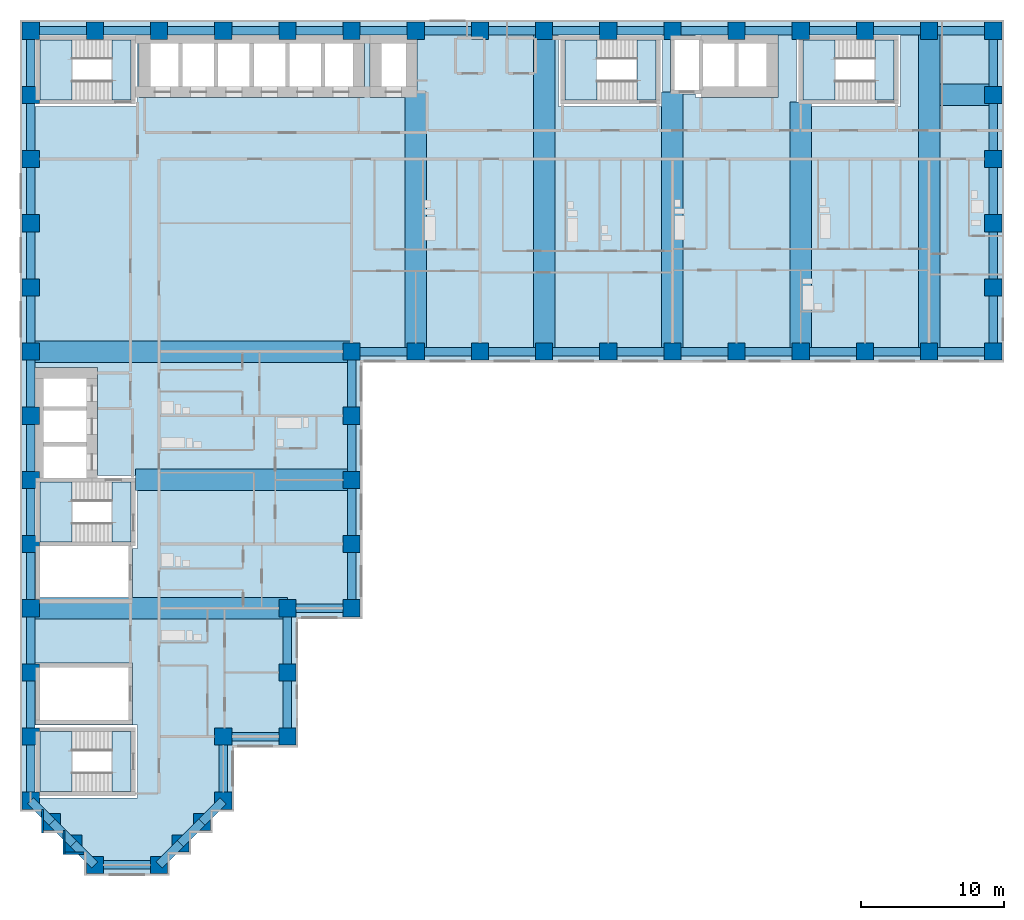
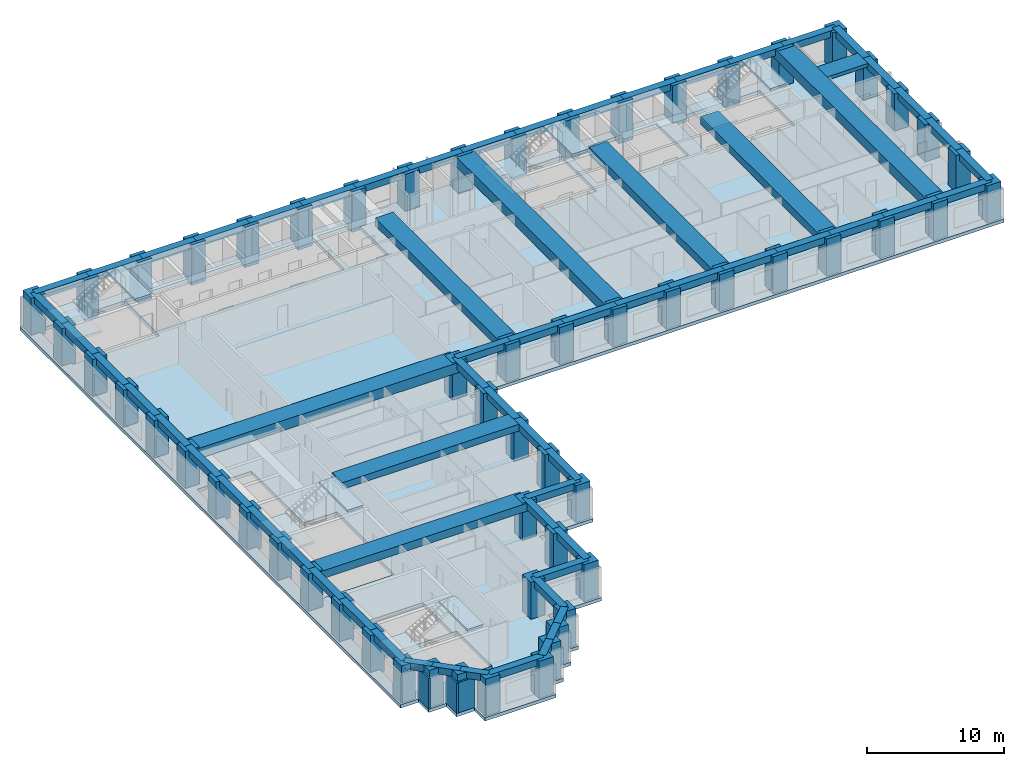
# One storey, part 1 of 11: 67 beams, 58 columns, 11 slabs, 3 walls, 5 elements without a shape of their own.
"""IFC4 building model written with IfcOpenShell, lengths in metres."""

from ifc_helpers import new_model, si_unit, direction, frame, frame_2d, origin, origin_2d, place, context, subcontext, project, spatial, polyline, rectangle, outline, extrude, material, layer, layer_set, material_profile, profile_set, type_object, element, aggregate, save


model = new_model("IFC4")

# Units and contexts
model_context = context("Model", 3, precision=1e-05, world=origin(), true_north=direction((0.0, 1.0)))
body_context = subcontext(model_context, "Body", "Model", "MODEL_VIEW")
ifc_project = project(units=[si_unit("LENGTHUNIT", "METRE"), si_unit("AREAUNIT", "SQUARE_METRE"), si_unit("VOLUMEUNIT", "CUBIC_METRE"), si_unit("PLANEANGLEUNIT", "RADIAN"), si_unit("MASSUNIT", "GRAM", prefix="KILO")], contexts=[model_context])

# Site, building, storey
site_placement = place(None, origin())
site = spatial("IfcSite", under=ifc_project, at=site_placement, CompositionType="ELEMENT")
building_placement = place(site_placement, origin())
building = spatial("IfcBuilding", under=site, at=building_placement, Name="Firuza Court", CompositionType="ELEMENT")
storey_placement = place(building_placement, frame((0.0, 0.0, 86.60009765625)))
storey = spatial("IfcBuildingStorey", under=building, at=storey_placement, Name="L21", CompositionType="ELEMENT", Elevation=86.60009765625)

# Columns
ifc_material_1 = material(Name="Concrete C70/85", Category="concrete")
ifc_material_profile_1 = material_profile(ifc_material_1, rectangle(XDim=1.199951171875, YDim=1.199951171875, at=origin_2d()), Name="RC 1200x1200")
ifc_profile_set_1 = profile_set([ifc_material_profile_1], Name="Concrete C70/85")
column_type = type_object("IfcColumnType", Name="Tube column RC 1200x1200 C70/85", PredefinedType="COLUMN", material=ifc_profile_set_1)
for number, where, z_axis, x_axis, name in (
    (1, (4.5, 0.0, -0.300048828125), (0.0, 0.0, 1.0), (1.0, 0.0, 0.0), "Column C-2D L21"),
    (2, (9.0, 0.0, -0.300048828125), (0.0, 0.0, 1.0), (1.0, 0.0, 0.0), "Column C-3D L21"),
    (3, (3.0, 1.5, -0.300048828125), (0.0, 0.0, 1.0), (1.0, 0.0, 0.0), "Column C-SA1 L21"),
    (4, (10.5, 1.5, -0.300048828125), (0.0, 0.0, 1.0), (1.0, 0.0, 0.0), "Column C-SA2 L21"),
    (5, (1.5, 3.0, -0.300048828125), (0.0, 0.0, 1.0), (1.0, 0.0, 0.0), "Column C-SA3 L21"),
    (6, (12.0, 3.0, -0.300048828125), (0.0, 0.0, 1.0), (1.0, 0.0, 0.0), "Column C-SA4 L21"),
    (7, (0.0, 4.5, -0.300048828125), (0.0, 0.0, 1.0), (1.0, 0.0, 0.0), "Column C-1E L21"),
    (8, (13.5, 4.5, -0.300048828125), (0.0, 0.0, 1.0), (1.0, 0.0, 0.0), "Column C-4E L21"),
    (9, (0.0, 9.0, -0.300048828125), (0.0, 0.0, 1.0), (1.0, 0.0, 0.0), "Column C-1F L21"),
    (10, (13.5, 9.0, -0.300048828125), (0.0, 0.0, 1.0), (1.0, 0.0, 0.0), "Column C-4F L21"),
    (11, (18.0, 9.0, -0.300048828125), (0.0, 0.0, 1.0), (1.0, 0.0, 0.0), "Column C-5F L21"),
    (12, (0.0, 13.5, -0.300048828125), (0.0, 0.0, 1.0), (1.0, 0.0, 0.0), "Column C-1G L21"),
    (13, (18.0, 13.5, -0.300048828125), (0.0, 0.0, 1.0), (1.0, 0.0, 0.0), "Column C-5G L21"),
    (14, (0.0, 18.0, -0.300048828125), (0.0, 0.0, 1.0), (1.0, 0.0, 0.0), "Column C-1H L21"),
    (15, (18.0, 18.0, -0.300048828125), (0.0, 0.0, 1.0), (1.0, 0.0, 0.0), "Column C-5H L21"),
    (16, (22.5, 18.0, -0.300048828125), (0.0, 0.0, 1.0), (1.0, 0.0, 0.0), "Column C-6H L21"),
    (17, (0.0, 22.5, -0.300048828125), (0.0, 0.0, 1.0), (1.0, 0.0, 0.0), "Column C-1J L21"),
    (18, (22.5, 22.5, -0.300048828125), (0.0, 0.0, 1.0), (1.0, 0.0, 0.0), "Column C-6J L21"),
    (19, (0.0, 27.0, -0.300048828125), (0.0, 0.0, 1.0), (1.0, 0.0, 0.0), "Column C-1K L21"),
    (20, (22.5, 27.0, -0.300048828125), (0.0, 0.0, 1.0), (1.0, 0.0, 0.0), "Column C-6K L21"),
    (21, (0.0, 31.5, -0.300048828125), (0.0, 0.0, 1.0), (1.0, 0.0, 0.0), "Column C-1L L21"),
    (22, (22.5, 31.5, -0.300048828125), (0.0, 0.0, 1.0), (1.0, 0.0, 0.0), "Column C-6L L21"),
    (23, (0.0, 36.0, -0.300048828125), (0.0, 0.0, 1.0), (1.0, 0.0, 0.0), "Column C-1M L21"),
    (24, (22.5, 36.0, -0.300048828125), (0.0, 0.0, 1.0), (1.0, 0.0, 0.0), "Column C-6M L21"),
    (25, (27.0, 36.0, -0.300048828125), (0.0, 0.0, 1.0), (1.0, 0.0, 0.0), "Column C-7M L21"),
    (26, (31.5, 36.0, -0.300048828125), (0.0, 0.0, 1.0), (1.0, 0.0, 0.0), "Column C-8M L21"),
    (27, (36.0, 36.0, -0.300048828125), (0.0, 0.0, 1.0), (1.0, 0.0, 0.0), "Column C-9M L21"),
    (28, (40.5, 36.0, -0.300048828125), (0.0, 0.0, 1.0), (1.0, 0.0, 0.0), "Column C-10M L21"),
    (29, (45.0, 36.0, -0.300048828125), (0.0, 0.0, 1.0), (1.0, 0.0, 0.0), "Column C-11M L21"),
    (30, (49.5, 36.0, -0.300048828125), (0.0, 0.0, 1.0), (1.0, 0.0, 0.0), "Column C-12M L21"),
    (31, (54.0, 36.0, -0.300048828125), (0.0, 0.0, 1.0), (1.0, 0.0, 0.0), "Column C-13M L21"),
    (32, (58.5, 36.0, -0.300048828125), (0.0, 0.0, 1.0), (1.0, 0.0, 0.0), "Column C-14M L21"),
    (33, (63.0, 36.0, -0.300048828125), (0.0, 0.0, 1.0), (1.0, 0.0, 0.0), "Column C-15M L21"),
    (34, (67.5, 36.0, -0.300048828125), (0.0, 0.0, 1.0), (1.0, 0.0, 0.0), "Column C-16M L21"),
    (35, (0.0, 40.5, -0.300048828125), (0.0, 0.0, 1.0), (1.0, 0.0, 0.0), "Column C-1N L21"),
    (36, (67.5, 40.5, -0.300048828125), (0.0, 0.0, 1.0), (1.0, 0.0, 0.0), "Column C-16N L21"),
    (37, (0.0, 45.0, -0.300048828125), (0.0, 0.0, 1.0), (1.0, 0.0, 0.0), "Column C-1P L21"),
    (38, (67.5, 45.0, -0.300048828125), (0.0, 0.0, 1.0), (1.0, 0.0, 0.0), "Column C-16P L21"),
    (39, (0.0, 49.5, -0.300048828125), (0.0, 0.0, 1.0), (1.0, 0.0, 0.0), "Column C-1Q L21"),
    (40, (67.5, 49.5, -0.300048828125), (0.0, 0.0, 1.0), (1.0, 0.0, 0.0), "Column C-16Q L21"),
    (41, (0.0, 54.0, -0.300048828125), (0.0, 0.0, 1.0), (1.0, 0.0, 0.0), "Column C-1R L21"),
    (42, (67.5, 54.0, -0.300048828125), (0.0, 0.0, 1.0), (1.0, 0.0, 0.0), "Column C-16R L21"),
    (43, (0.0, 58.5, -0.300048828125), (0.0, 0.0, 1.0), (1.0, 0.0, 0.0), "Column C-1S L21"),
    (44, (4.5, 58.5, -0.300048828125), (0.0, 0.0, 1.0), (1.0, 0.0, 0.0), "Column C-2S L21"),
    (45, (9.0, 58.5, -0.300048828125), (0.0, 0.0, 1.0), (1.0, 0.0, 0.0), "Column C-3S L21"),
    (46, (13.5, 58.5, -0.300048828125), (0.0, 0.0, 1.0), (1.0, 0.0, 0.0), "Column C-4S L21"),
    (47, (18.0, 58.5, -0.300048828125), (0.0, 0.0, 1.0), (1.0, 0.0, 0.0), "Column C-5S L21"),
    (48, (22.5, 58.5, -0.300048828125), (0.0, 0.0, 1.0), (1.0, 0.0, 0.0), "Column C-6S L21"),
    (49, (27.0, 58.5, -0.300048828125), (0.0, 0.0, 1.0), (1.0, 0.0, 0.0), "Column C-7S L21"),
    (50, (31.5, 58.5, -0.300048828125), (0.0, 0.0, 1.0), (1.0, 0.0, 0.0), "Column C-8S L21"),
    (51, (36.0, 58.5, -0.300048828125), (0.0, 0.0, 1.0), (1.0, 0.0, 0.0), "Column C-9S L21"),
    (52, (40.5, 58.5, -0.300048828125), (0.0, 0.0, 1.0), (1.0, 0.0, 0.0), "Column C-10S L21"),
    (53, (45.0, 58.5, -0.300048828125), (0.0, 0.0, 1.0), (1.0, 0.0, 0.0), "Column C-11S L21"),
    (54, (49.5, 58.5, -0.300048828125), (0.0, 0.0, 1.0), (1.0, 0.0, 0.0), "Column C-12S L21"),
    (55, (54.0, 58.5, -0.300048828125), (0.0, 0.0, 1.0), (1.0, 0.0, 0.0), "Column C-13S L21"),
    (56, (58.5, 58.5, -0.300048828125), (0.0, 0.0, 1.0), (1.0, 0.0, 0.0), "Column C-14S L21"),
    (57, (63.0, 58.5, -0.300048828125), (0.0, 0.0, 1.0), (1.0, 0.0, 0.0), "Column C-15S L21"),
    (58, (67.5, 58.5, -0.300048828125), (0.0, 0.0, 1.0), (1.0, 0.0, 0.0), "Column C-16S L21"),
):
    element("IfcColumn", number, at=place(storey_placement, frame(where, z_axis=z_axis, x_axis=x_axis)), inside=storey, type_object=column_type, Name=name, PredefinedType="COLUMN", context=body_context, shape_type="SweptSolid", body=[
        extrude(rectangle(XDim=1.199951171875, YDim=1.199951171875, at=origin_2d()), origin(), (0.0, 0.0, 1.0), 3.599853515625),
    ])

# Beams
ifc_material_2 = material(Name="Concrete C40/50", Category="concrete")
ifc_material_profile_2 = material_profile(ifc_material_2, rectangle(XDim=1.5, YDim=0.300048828125, at=origin_2d()), Name="RC 1500x300")
ifc_profile_set_2 = profile_set([ifc_material_profile_2], Name="Concrete C40/50")
beam_type_1 = type_object("IfcBeamType", Name="Band beam RC 1500x300 C40/50", PredefinedType="BEAM", material=ifc_profile_set_2)
beam_1_placement = place(storey_placement, frame((67.5, 54.0, 3.14990234375), z_axis=(-1.0, 0.0, 0.0), x_axis=(0.0, -1.0, 0.0)))
element("IfcBeam", 59, at=beam_1_placement, inside=storey, type_object=beam_type_1, Name="Band beam FB6 level L22", PredefinedType="BEAM", context=body_context, shape_type="SweptSolid", body=[
    extrude(rectangle(XDim=1.5, YDim=0.300048828125, at=origin_2d()), origin(), (0.0, 0.0, 1.0), 3.75),
])
ifc_material_3 = material(Name="Concrete C40/50", Category="concrete")
ifc_material_profile_3 = material_profile(ifc_material_3, rectangle(XDim=1.5, YDim=0.60009765625, at=origin_2d()), Name="RC 1500x600")
ifc_profile_set_3 = profile_set([ifc_material_profile_3], Name="Concrete C40/50")
beam_type_2 = type_object("IfcBeamType", Name="Band beam RC 1500x600 C40/50", PredefinedType="BEAM", material=ifc_profile_set_3)
beam_2_placement = place(storey_placement, frame((22.5, 27.0, 3.0), z_axis=(-1.0, 0.0, 0.0), x_axis=(0.0, -1.0, 0.0)))
element("IfcBeam", 60, at=beam_2_placement, inside=storey, type_object=beam_type_2, Name="Band beam FB3 level L22", PredefinedType="BEAM", context=body_context, shape_type="SweptSolid", body=[
    extrude(rectangle(XDim=1.5, YDim=0.60009765625, at=origin_2d()), origin(), (0.0, 0.0, 1.0), 15.14990234375),
])
ifc_material_4 = material(Name="Concrete C40/50", Category="concrete")
ifc_material_profile_4 = material_profile(ifc_material_4, rectangle(XDim=1.5, YDim=0.699951171875, at=origin_2d()), Name="RC 1500x700")
ifc_profile_set_4 = profile_set([ifc_material_profile_4], Name="Concrete C40/50")
beam_type_3 = type_object("IfcBeamType", Name="Band beam RC 1500x700 C40/50", PredefinedType="BEAM", material=ifc_profile_set_4)
beam_3_placement = place(storey_placement, frame((0.0, 18.0, 2.949951171875), z_axis=(1.0, 0.0, 0.0), x_axis=(0.0, 1.0, 0.0)))
element("IfcBeam", 61, at=beam_3_placement, inside=storey, type_object=beam_type_3, Name="Band beam FB1 level L22", PredefinedType="BEAM", context=body_context, shape_type="SweptSolid", body=[
    extrude(rectangle(XDim=1.5, YDim=0.699951171875, at=origin_2d()), origin(), (0.0, 0.0, 1.0), 18.0),
])
for number, where, z_axis, x_axis, name in (
    (62, (27.0, 36.0, 2.949951171875), (0.0, 1.0, 0.0), (-1.0, 0.0, 0.0), "Band beam FB1 level L22"),
    (63, (45.0, 36.0, 2.949951171875), (0.0, 1.0, 0.0), (-1.0, 0.0, 0.0), "Band beam FB1 level L22"),
):
    element("IfcBeam", number, at=place(storey_placement, frame(where, z_axis=z_axis, x_axis=x_axis)), inside=storey, type_object=beam_type_3, Name=name, PredefinedType="BEAM", context=body_context, shape_type="SweptSolid", body=[
        extrude(rectangle(XDim=1.5, YDim=0.699951171875, at=origin_2d()), origin(), (0.0, 0.0, 1.0), 18.199951171875),
    ])
beam_4_placement = place(storey_placement, frame((54.0, 36.0, 2.949951171875), z_axis=(0.0, 1.0, 0.0), x_axis=(-1.0, 0.0, 0.0)))
element("IfcBeam", 64, at=beam_4_placement, inside=storey, type_object=beam_type_3, Name="Band beam FB1 level L22", PredefinedType="BEAM", context=body_context, shape_type="SweptSolid", body=[
    extrude(rectangle(XDim=1.5, YDim=0.699951171875, at=origin_2d()), origin(), (0.0, 0.0, 1.0), 17.5),
])
ifc_material_5 = material(Name="Concrete C40/50", Category="concrete")
ifc_material_profile_5 = material_profile(ifc_material_5, rectangle(XDim=1.5, YDim=0.89990234375, at=origin_2d()), Name="RC 1500x900")
ifc_profile_set_5 = profile_set([ifc_material_profile_5], Name="Concrete C40/50")
beam_type_4 = type_object("IfcBeamType", Name="Band beam RC 1500x900 C40/50", PredefinedType="BEAM", material=ifc_profile_set_5)
for number, where, z_axis, x_axis, name in (
    (65, (0.0, 36.0, 2.849853515625), (1.0, 0.0, 0.0), (0.0, 1.0, 0.0), "Band beam FB2 level L22"),
    (66, (36.0, 36.0, 2.849853515625), (0.0, 1.0, 0.0), (-1.0, 0.0, 0.0), "Band beam FB2 level L22"),
    (67, (63.0, 36.0, 2.849853515625), (0.0, 1.0, 0.0), (-1.0, 0.0, 0.0), "Band beam FB2 level L22"),
):
    element("IfcBeam", number, at=place(storey_placement, frame(where, z_axis=z_axis, x_axis=x_axis)), inside=storey, type_object=beam_type_4, Name=name, PredefinedType="BEAM", context=body_context, shape_type="SweptSolid", body=[
        extrude(rectangle(XDim=1.5, YDim=0.89990234375, at=origin_2d()), origin(), (0.0, 0.0, 1.0), 22.5),
    ])
ifc_material_6 = material(Name="Concrete C40/50", Category="concrete")
ifc_material_profile_6 = material_profile(ifc_material_6, rectangle(XDim=0.60009765625, YDim=0.60009765625, at=origin_2d()), Name="RC 600x600")
ifc_profile_set_6 = profile_set([ifc_material_profile_6], Name="Concrete C40/50")
beam_type_5 = type_object("IfcBeamType", Name="Spandrel beam RC 600x600 C40/50", PredefinedType="BEAM", material=ifc_profile_set_6)
beam_5_placement = place(storey_placement, frame((0.0, 4.5, 3.0), z_axis=(0.707106781187, -0.707106781187, 0.0), x_axis=(0.707106781187, 0.707106781187, 0.0)))
element("IfcBeam", 68, at=beam_5_placement, inside=storey, type_object=beam_type_5, Name="Spandrel beam SP11 level L22", PredefinedType="BEAM", context=body_context, shape_type="SweptSolid", body=[
    extrude(rectangle(XDim=0.60009765625, YDim=0.60009765625, at=origin_2d()), origin(), (0.0, 0.0, 1.0), 2.121337890625),
])
for number, where, z_axis, x_axis, name in (
    (69, (0.0, 9.0, 3.0), (0.0, -1.0, 0.0), (1.0, 0.0, 0.0), "Spandrel beam SP11 level L22"),
    (70, (0.0, 13.5, 3.0), (0.0, -1.0, 0.0), (1.0, 0.0, 0.0), "Spandrel beam SP11 level L22"),
    (71, (0.0, 18.0, 3.0), (0.0, -1.0, 0.0), (1.0, 0.0, 0.0), "Spandrel beam SP11 level L22"),
    (72, (0.0, 22.5, 3.0), (0.0, -1.0, 0.0), (1.0, 0.0, 0.0), "Spandrel beam SP11 level L22"),
    (73, (0.0, 27.0, 3.0), (0.0, -1.0, 0.0), (1.0, 0.0, 0.0), "Spandrel beam SP11 level L22"),
    (74, (0.0, 31.5, 3.0), (0.0, -1.0, 0.0), (1.0, 0.0, 0.0), "Spandrel beam SP11 level L22"),
    (75, (0.0, 36.0, 3.0), (0.0, -1.0, 0.0), (1.0, 0.0, 0.0), "Spandrel beam SP11 level L22"),
    (76, (0.0, 40.5, 3.0), (0.0, -1.0, 0.0), (1.0, 0.0, 0.0), "Spandrel beam SP11 level L22"),
    (77, (0.0, 45.0, 3.0), (0.0, -1.0, 0.0), (1.0, 0.0, 0.0), "Spandrel beam SP11 level L22"),
    (78, (0.0, 49.5, 3.0), (0.0, -1.0, 0.0), (1.0, 0.0, 0.0), "Spandrel beam SP11 level L22"),
    (79, (0.0, 54.0, 3.0), (0.0, -1.0, 0.0), (1.0, 0.0, 0.0), "Spandrel beam SP11 level L22"),
    (80, (0.0, 58.5, 3.0), (0.0, -1.0, 0.0), (1.0, 0.0, 0.0), "Spandrel beam SP11 level L22"),
):
    element("IfcBeam", number, at=place(storey_placement, frame(where, z_axis=z_axis, x_axis=x_axis)), inside=storey, type_object=beam_type_5, Name=name, PredefinedType="BEAM", context=body_context, shape_type="SweptSolid", body=[
        extrude(rectangle(XDim=0.60009765625, YDim=0.60009765625, at=origin_2d()), origin(), (0.0, 0.0, 1.0), 4.5),
    ])
for number, where, z_axis, x_axis, name in (
    (81, (1.5, 3.0, 3.0), (0.707106781187, -0.707106781187, 0.0), (0.707106781187, 0.707106781187, 0.0), "Spandrel beam SP11 level L22"),
    (82, (3.0, 1.5, 3.0), (0.707106781187, -0.707106781187, 0.0), (0.707106781187, 0.707106781187, 0.0), "Spandrel beam SP11 level L22"),
):
    element("IfcBeam", number, at=place(storey_placement, frame(where, z_axis=z_axis, x_axis=x_axis)), inside=storey, type_object=beam_type_5, Name=name, PredefinedType="BEAM", context=body_context, shape_type="SweptSolid", body=[
        extrude(rectangle(XDim=0.60009765625, YDim=0.60009765625, at=origin_2d()), origin(), (0.0, 0.0, 1.0), 2.121337890625),
    ])
for number, where, z_axis, x_axis, name in (
    (83, (4.5, 0.0, 3.0), (1.0, 0.0, 0.0), (0.0, 1.0, 0.0), "Spandrel beam SP11 level L22"),
    (84, (4.5, 58.5, 3.0), (-1.0, 0.0, 0.0), (0.0, -1.0, 0.0), "Spandrel beam SP11 level L22"),
):
    element("IfcBeam", number, at=place(storey_placement, frame(where, z_axis=z_axis, x_axis=x_axis)), inside=storey, type_object=beam_type_5, Name=name, PredefinedType="BEAM", context=body_context, shape_type="SweptSolid", body=[
        extrude(rectangle(XDim=0.60009765625, YDim=0.60009765625, at=origin_2d()), origin(), (0.0, 0.0, 1.0), 4.5),
    ])
beam_6_placement = place(storey_placement, frame((9.0, 0.0, 3.0), z_axis=(0.707106781187, 0.707106781187, 0.0), x_axis=(-0.707106781187, 0.707106781187, 0.0)))
element("IfcBeam", 85, at=beam_6_placement, inside=storey, type_object=beam_type_5, Name="Spandrel beam SP11 level L22", PredefinedType="BEAM", context=body_context, shape_type="SweptSolid", body=[
    extrude(rectangle(XDim=0.60009765625, YDim=0.60009765625, at=origin_2d()), origin(), (0.0, 0.0, 1.0), 2.121337890625),
])
beam_7_placement = place(storey_placement, frame((9.0, 58.5, 3.0), z_axis=(-1.0, 0.0, 0.0), x_axis=(0.0, -1.0, 0.0)))
element("IfcBeam", 86, at=beam_7_placement, inside=storey, type_object=beam_type_5, Name="Spandrel beam SP11 level L22", PredefinedType="BEAM", context=body_context, shape_type="SweptSolid", body=[
    extrude(rectangle(XDim=0.60009765625, YDim=0.60009765625, at=origin_2d()), origin(), (0.0, 0.0, 1.0), 4.5),
])
for number, where, z_axis, x_axis, name in (
    (87, (10.5, 1.5, 3.0), (0.707106781187, 0.707106781187, 0.0), (-0.707106781187, 0.707106781187, 0.0), "Spandrel beam SP11 level L22"),
    (88, (12.0, 3.0, 3.0), (0.707106781187, 0.707106781187, 0.0), (-0.707106781187, 0.707106781187, 0.0), "Spandrel beam SP11 level L22"),
):
    element("IfcBeam", number, at=place(storey_placement, frame(where, z_axis=z_axis, x_axis=x_axis)), inside=storey, type_object=beam_type_5, Name=name, PredefinedType="BEAM", context=body_context, shape_type="SweptSolid", body=[
        extrude(rectangle(XDim=0.60009765625, YDim=0.60009765625, at=origin_2d()), origin(), (0.0, 0.0, 1.0), 2.121337890625),
    ])
for number, where, z_axis, x_axis, name in (
    (89, (13.5, 4.5, 3.0), (0.0, 1.0, 0.0), (-1.0, 0.0, 0.0), "Spandrel beam SP11 level L22"),
    (90, (13.5, 9.0, 3.0), (1.0, 0.0, 0.0), (0.0, 1.0, 0.0), "Spandrel beam SP11 level L22"),
    (91, (13.5, 58.5, 3.0), (-1.0, 0.0, 0.0), (0.0, -1.0, 0.0), "Spandrel beam SP11 level L22"),
    (92, (18.0, 9.0, 3.0), (0.0, 1.0, 0.0), (-1.0, 0.0, 0.0), "Spandrel beam SP11 level L22"),
    (93, (18.0, 13.5, 3.0), (0.0, 1.0, 0.0), (-1.0, 0.0, 0.0), "Spandrel beam SP11 level L22"),
    (94, (18.0, 18.0, 3.0), (1.0, 0.0, 0.0), (0.0, 1.0, 0.0), "Spandrel beam SP11 level L22"),
    (95, (18.0, 58.5, 3.0), (-1.0, 0.0, 0.0), (0.0, -1.0, 0.0), "Spandrel beam SP11 level L22"),
    (96, (22.5, 18.0, 3.0), (0.0, 1.0, 0.0), (-1.0, 0.0, 0.0), "Spandrel beam SP11 level L22"),
    (97, (22.5, 22.5, 3.0), (0.0, 1.0, 0.0), (-1.0, 0.0, 0.0), "Spandrel beam SP11 level L22"),
    (98, (22.5, 27.0, 3.0), (0.0, 1.0, 0.0), (-1.0, 0.0, 0.0), "Spandrel beam SP11 level L22"),
    (99, (22.5, 31.5, 3.0), (0.0, 1.0, 0.0), (-1.0, 0.0, 0.0), "Spandrel beam SP11 level L22"),
    (100, (22.5, 36.0, 3.0), (1.0, 0.0, 0.0), (0.0, 1.0, 0.0), "Spandrel beam SP11 level L22"),
    (101, (22.5, 58.5, 3.0), (-1.0, 0.0, 0.0), (0.0, -1.0, 0.0), "Spandrel beam SP11 level L22"),
    (102, (27.0, 36.0, 3.0), (1.0, 0.0, 0.0), (0.0, 1.0, 0.0), "Spandrel beam SP11 level L22"),
    (103, (27.0, 58.5, 3.0), (-1.0, 0.0, 0.0), (0.0, -1.0, 0.0), "Spandrel beam SP11 level L22"),
    (104, (31.5, 36.0, 3.0), (1.0, 0.0, 0.0), (0.0, 1.0, 0.0), "Spandrel beam SP11 level L22"),
    (105, (31.5, 58.5, 3.0), (-1.0, 0.0, 0.0), (0.0, -1.0, 0.0), "Spandrel beam SP11 level L22"),
    (106, (36.0, 36.0, 3.0), (1.0, 0.0, 0.0), (0.0, 1.0, 0.0), "Spandrel beam SP11 level L22"),
    (107, (36.0, 58.5, 3.0), (-1.0, 0.0, 0.0), (0.0, -1.0, 0.0), "Spandrel beam SP11 level L22"),
    (108, (40.5, 36.0, 3.0), (1.0, 0.0, 0.0), (0.0, 1.0, 0.0), "Spandrel beam SP11 level L22"),
    (109, (40.5, 58.5, 3.0), (-1.0, 0.0, 0.0), (0.0, -1.0, 0.0), "Spandrel beam SP11 level L22"),
    (110, (45.0, 36.0, 3.0), (1.0, 0.0, 0.0), (0.0, 1.0, 0.0), "Spandrel beam SP11 level L22"),
    (111, (45.0, 58.5, 3.0), (-1.0, 0.0, 0.0), (0.0, -1.0, 0.0), "Spandrel beam SP11 level L22"),
    (112, (49.5, 36.0, 3.0), (1.0, 0.0, 0.0), (0.0, 1.0, 0.0), "Spandrel beam SP11 level L22"),
    (113, (49.5, 58.5, 3.0), (-1.0, 0.0, 0.0), (0.0, -1.0, 0.0), "Spandrel beam SP11 level L22"),
    (114, (54.0, 36.0, 3.0), (1.0, 0.0, 0.0), (0.0, 1.0, 0.0), "Spandrel beam SP11 level L22"),
    (115, (54.0, 58.5, 3.0), (-1.0, 0.0, 0.0), (0.0, -1.0, 0.0), "Spandrel beam SP11 level L22"),
    (116, (58.5, 36.0, 3.0), (1.0, 0.0, 0.0), (0.0, 1.0, 0.0), "Spandrel beam SP11 level L22"),
    (117, (58.5, 58.5, 3.0), (-1.0, 0.0, 0.0), (0.0, -1.0, 0.0), "Spandrel beam SP11 level L22"),
    (118, (63.0, 36.0, 3.0), (1.0, 0.0, 0.0), (0.0, 1.0, 0.0), "Spandrel beam SP11 level L22"),
    (119, (63.0, 58.5, 3.0), (-1.0, 0.0, 0.0), (0.0, -1.0, 0.0), "Spandrel beam SP11 level L22"),
    (120, (67.5, 36.0, 3.0), (0.0, 1.0, 0.0), (-1.0, 0.0, 0.0), "Spandrel beam SP11 level L22"),
    (121, (67.5, 40.5, 3.0), (0.0, 1.0, 0.0), (-1.0, 0.0, 0.0), "Spandrel beam SP11 level L22"),
    (122, (67.5, 45.0, 3.0), (0.0, 1.0, 0.0), (-1.0, 0.0, 0.0), "Spandrel beam SP11 level L22"),
    (123, (67.5, 49.5, 3.0), (0.0, 1.0, 0.0), (-1.0, 0.0, 0.0), "Spandrel beam SP11 level L22"),
    (124, (67.5, 54.0, 3.0), (0.0, 1.0, 0.0), (-1.0, 0.0, 0.0), "Spandrel beam SP11 level L22"),
    (125, (67.5, 58.5, 3.0), (-1.0, 0.0, 0.0), (0.0, -1.0, 0.0), "Spandrel beam SP11 level L22"),
):
    element("IfcBeam", number, at=place(storey_placement, frame(where, z_axis=z_axis, x_axis=x_axis)), inside=storey, type_object=beam_type_5, Name=name, PredefinedType="BEAM", context=body_context, shape_type="SweptSolid", body=[
        extrude(rectangle(XDim=0.60009765625, YDim=0.60009765625, at=origin_2d()), origin(), (0.0, 0.0, 1.0), 4.5),
    ])

# Slab
ifc_material_7 = material(Name="Concrete C40/50", Category="concrete")
ifc_layer_1 = layer(ifc_material_7, 0.300048828125)
ifc_layer_set_1 = layer_set([ifc_layer_1], Name="Concrete C40/50")
slab_type_1 = type_object("IfcSlabType", Name="Floor slab 300 C40/50", PredefinedType="FLOOR", material=ifc_layer_set_1)
slab_1_placement = place(storey_placement, frame((0.0, 0.0, -0.300048828125)))
element("IfcSlab", 126, at=slab_1_placement, inside=storey, type_object=slab_type_1, Name="Floor slab L21", PredefinedType="FLOOR", context=body_context, shape_type="SweptSolid", body=[
    extrude(outline(polyline([(3.75, -0.75), (3.75, 0.75), (2.25, 0.75), (2.25, 2.25), (0.75, 2.25), (0.75, 3.75), (-0.75, 3.75), (-0.75, 59.25), (68.25, 59.25), (68.25, 35.25), (23.25, 35.25), (23.25, 17.25), (18.75, 17.25), (18.75, 8.25), (14.25, 8.25), (14.25, 3.75), (12.75, 3.75), (12.75, 2.25), (11.25, 2.25), (11.25, 0.75), (9.75, 0.75), (9.75, -0.75), (3.75, -0.75)]), holes=[polyline([(7.5, 9.800048828125), (0.199951171875, 9.800048828125), (0.199951171875, 4.699951171875), (7.5, 4.699951171875), (7.5, 9.800048828125)]), polyline([(7.14990234375, 14.14990234375), (0.35009765625, 14.14990234375), (0.35009765625, 9.85009765625), (7.14990234375, 9.85009765625), (7.14990234375, 14.14990234375)]), polyline([(0.199951171875, 22.199951171875), (0.35009765625, 22.199951171875), (0.35009765625, 18.35009765625), (7.14990234375, 18.35009765625), (7.14990234375, 22.199951171875), (7.5, 22.199951171875), (7.5, 27.300048828125), (4.699951171875, 27.300048828125), (4.699951171875, 29.10009765625), (4.699951171875, 29.89990234375), (4.699951171875, 31.60009765625), (4.699951171875, 32.39990234375), (4.699951171875, 34.89990234375), (0.10009765625, 34.89990234375), (0.10009765625, 32.39990234375), (0.10009765625, 31.60009765625), (0.10009765625, 29.89990234375), (0.10009765625, 29.10009765625), (0.10009765625, 26.60009765625), (0.199951171875, 26.60009765625), (0.199951171875, 22.199951171875)]), polyline([(7.5, 58.300048828125), (0.199951171875, 58.300048828125), (0.199951171875, 53.199951171875), (7.5, 53.199951171875), (7.5, 58.300048828125)]), polyline([(10.10009765625, 58.39990234375), (7.60009765625, 58.39990234375), (7.60009765625, 53.800048828125), (10.10009765625, 53.800048828125), (10.89990234375, 53.800048828125), (12.60009765625, 53.800048828125), (13.39990234375, 53.800048828125), (15.10009765625, 53.800048828125), (15.89990234375, 53.800048828125), (17.60009765625, 53.800048828125), (18.39990234375, 53.800048828125), (20.10009765625, 53.800048828125), (20.89990234375, 53.800048828125), (23.39990234375, 53.800048828125), (23.39990234375, 58.39990234375), (20.89990234375, 58.39990234375), (20.10009765625, 58.39990234375), (18.39990234375, 58.39990234375), (17.60009765625, 58.39990234375), (15.89990234375, 58.39990234375), (15.10009765625, 58.39990234375), (13.39990234375, 58.39990234375), (12.60009765625, 58.39990234375), (10.89990234375, 58.39990234375), (10.10009765625, 58.39990234375)]), polyline([(44.300048828125, 58.300048828125), (37.0, 58.300048828125), (37.0, 53.199951171875), (44.300048828125, 53.199951171875), (44.300048828125, 58.300048828125)]), polyline([(61.0, 58.300048828125), (53.699951171875, 58.300048828125), (53.699951171875, 53.199951171875), (61.0, 53.199951171875), (61.0, 58.300048828125)]), polyline([(27.10009765625, 58.39990234375), (23.800048828125, 58.39990234375), (23.800048828125, 53.800048828125), (27.10009765625, 53.800048828125), (27.10009765625, 58.39990234375)]), polyline([(46.60009765625, 58.14990234375), (44.85009765625, 58.14990234375), (44.85009765625, 54.050048828125), (46.60009765625, 54.050048828125), (46.60009765625, 53.800048828125), (49.10009765625, 53.800048828125), (49.89990234375, 53.800048828125), (52.39990234375, 53.800048828125), (52.39990234375, 58.39990234375), (49.89990234375, 58.39990234375), (49.10009765625, 58.39990234375), (46.60009765625, 58.39990234375), (46.60009765625, 58.14990234375)])]), origin(), (0.0, 0.0, 1.0), 0.300048828125),
])

# Stair, slabs
ifc_material_8 = material(Name="Concrete C40/50 precast", Category="concrete")
stair_type = type_object("IfcStairType", Name="Stair 1350 x 3600 2 flights", PredefinedType="HALF_TURN_STAIR", material=ifc_material_8)
stair_1_placement = place(storey_placement, origin())
stair_1 = element("IfcStair", 127, at=stair_1_placement, inside=storey, type_object=stair_type, Name="Stair 1 L21", PredefinedType="HALF_TURN_STAIR")
ifc_material_9 = material(Name="Concrete C40/50 precast", Category="concrete")
ifc_layer_2 = layer(ifc_material_9, 0.199951171875)
ifc_layer_set_2 = layer_set([ifc_layer_2], Name="Concrete C40/50 precast")
slab_type_2 = type_object("IfcSlabType", Name="Stair landing 200", PredefinedType="LANDING", material=ifc_layer_set_2)
slab_2_placement = place(storey_placement, frame((0.0, 0.0, 1.599853515625)))
slab_2 = element("IfcSlab", 128, at=slab_2_placement, type_object=slab_type_2, Name="S1 landing 1", PredefinedType="LANDING", context=body_context, shape_type="SweptSolid", body=[
    extrude(outline(polyline([(39.699951171875, 53.64990234375), (39.699951171875, 57.85009765625), (37.449951171875, 57.85009765625), (37.449951171875, 53.64990234375), (39.699951171875, 53.64990234375)])), origin(), (0.0, 0.0, 1.0), 0.199951171875),
])
slab_3_placement = place(storey_placement, frame((0.0, 0.0, 3.39990234375)))
slab_3 = element("IfcSlab", 129, at=slab_3_placement, type_object=slab_type_2, Name="S1 landing 2", PredefinedType="LANDING", context=body_context, shape_type="SweptSolid", body=[
    extrude(outline(polyline([(43.85009765625, 53.64990234375), (43.85009765625, 57.85009765625), (42.5, 57.85009765625), (42.5, 53.64990234375), (43.85009765625, 53.64990234375)])), origin(), (0.0, 0.0, 1.0), 0.199951171875),
])
aggregate(stair_1, [slab_2, slab_3])

stair_2_placement = place(storey_placement, origin())
stair_2 = element("IfcStair", 130, at=stair_2_placement, inside=storey, type_object=stair_type, Name="Stair 2 L21", PredefinedType="HALF_TURN_STAIR")
slab_4_placement = place(storey_placement, frame((0.0, 0.0, 1.599853515625)))
slab_4 = element("IfcSlab", 131, at=slab_4_placement, type_object=slab_type_2, Name="S2 landing 1", PredefinedType="LANDING", context=body_context, shape_type="SweptSolid", body=[
    extrude(outline(polyline([(2.89990234375, 22.64990234375), (2.89990234375, 26.85009765625), (0.64990234375, 26.85009765625), (0.64990234375, 22.64990234375), (2.89990234375, 22.64990234375)])), origin(), (0.0, 0.0, 1.0), 0.199951171875),
])
slab_5_placement = place(storey_placement, frame((0.0, 0.0, 3.39990234375)))
slab_5 = element("IfcSlab", 132, at=slab_5_placement, type_object=slab_type_2, Name="S2 landing 2", PredefinedType="LANDING", context=body_context, shape_type="SweptSolid", body=[
    extrude(outline(polyline([(7.050048828125, 22.64990234375), (7.050048828125, 26.85009765625), (5.699951171875, 26.85009765625), (5.699951171875, 22.64990234375), (7.050048828125, 22.64990234375)])), origin(), (0.0, 0.0, 1.0), 0.199951171875),
])
aggregate(stair_2, [slab_4, slab_5])

stair_3_placement = place(storey_placement, origin())
stair_3 = element("IfcStair", 133, at=stair_3_placement, inside=storey, type_object=stair_type, Name="Stair 3 L21", PredefinedType="HALF_TURN_STAIR")
slab_6_placement = place(storey_placement, frame((0.0, 0.0, 1.599853515625)))
slab_6 = element("IfcSlab", 134, at=slab_6_placement, type_object=slab_type_2, Name="S3 landing 1", PredefinedType="LANDING", context=body_context, shape_type="SweptSolid", body=[
    extrude(outline(polyline([(2.89990234375, 53.64990234375), (2.89990234375, 57.85009765625), (0.64990234375, 57.85009765625), (0.64990234375, 53.64990234375), (2.89990234375, 53.64990234375)])), origin(), (0.0, 0.0, 1.0), 0.199951171875),
])
slab_7_placement = place(storey_placement, frame((0.0, 0.0, 3.39990234375)))
slab_7 = element("IfcSlab", 135, at=slab_7_placement, type_object=slab_type_2, Name="S3 landing 2", PredefinedType="LANDING", context=body_context, shape_type="SweptSolid", body=[
    extrude(outline(polyline([(7.050048828125, 53.64990234375), (7.050048828125, 57.85009765625), (5.699951171875, 57.85009765625), (5.699951171875, 53.64990234375), (7.050048828125, 53.64990234375)])), origin(), (0.0, 0.0, 1.0), 0.199951171875),
])
aggregate(stair_3, [slab_6, slab_7])

stair_4_placement = place(storey_placement, origin())
stair_4 = element("IfcStair", 136, at=stair_4_placement, inside=storey, type_object=stair_type, Name="Stair 4 L21", PredefinedType="HALF_TURN_STAIR")
slab_8_placement = place(storey_placement, frame((0.0, 0.0, 1.599853515625)))
slab_8 = element("IfcSlab", 137, at=slab_8_placement, type_object=slab_type_2, Name="S4 landing 1", PredefinedType="LANDING", context=body_context, shape_type="SweptSolid", body=[
    extrude(outline(polyline([(56.39990234375, 53.64990234375), (56.39990234375, 57.85009765625), (54.14990234375, 57.85009765625), (54.14990234375, 53.64990234375), (56.39990234375, 53.64990234375)])), origin(), (0.0, 0.0, 1.0), 0.199951171875),
])
slab_9_placement = place(storey_placement, frame((0.0, 0.0, 3.39990234375)))
slab_9 = element("IfcSlab", 138, at=slab_9_placement, type_object=slab_type_2, Name="S4 landing 2", PredefinedType="LANDING", context=body_context, shape_type="SweptSolid", body=[
    extrude(outline(polyline([(60.550048828125, 53.64990234375), (60.550048828125, 57.85009765625), (59.199951171875, 57.85009765625), (59.199951171875, 53.64990234375), (60.550048828125, 53.64990234375)])), origin(), (0.0, 0.0, 1.0), 0.199951171875),
])
aggregate(stair_4, [slab_8, slab_9])

stair_5_placement = place(storey_placement, origin())
stair_5 = element("IfcStair", 139, at=stair_5_placement, inside=storey, type_object=stair_type, Name="Stair 5 L21", PredefinedType="HALF_TURN_STAIR")
slab_10_placement = place(storey_placement, frame((0.0, 0.0, 1.599853515625)))
slab_10 = element("IfcSlab", 140, at=slab_10_placement, type_object=slab_type_2, Name="S5 landing 1", PredefinedType="LANDING", context=body_context, shape_type="SweptSolid", body=[
    extrude(outline(polyline([(2.89990234375, 5.14990234375), (2.89990234375, 9.35009765625), (0.64990234375, 9.35009765625), (0.64990234375, 5.14990234375), (2.89990234375, 5.14990234375)])), origin(), (0.0, 0.0, 1.0), 0.199951171875),
])
slab_11_placement = place(storey_placement, frame((0.0, 0.0, 3.39990234375)))
slab_11 = element("IfcSlab", 141, at=slab_11_placement, type_object=slab_type_2, Name="S5 landing 2", PredefinedType="LANDING", context=body_context, shape_type="SweptSolid", body=[
    extrude(outline(polyline([(7.050048828125, 5.14990234375), (7.050048828125, 9.35009765625), (5.699951171875, 9.35009765625), (5.699951171875, 5.14990234375), (7.050048828125, 5.14990234375)])), origin(), (0.0, 0.0, 1.0), 0.199951171875),
])
aggregate(stair_5, [slab_10, slab_11])

# Walls
ifc_material_10 = material(Name="Ceramic tile", Category="ceramic")
ifc_layer_3 = layer(ifc_material_10, 0.02001953125)
ifc_material_11 = material(Name="Mineral wool insulation", Category="insulation")
ifc_layer_4 = layer(ifc_material_11, 0.050048828125)
ifc_layer_5 = layer(ifc_material_9, 0.080078125)
ifc_layer_set_3 = layer_set([ifc_layer_3, ifc_layer_4, ifc_layer_5], Name="Concrete C40/50 precast")
wall_type = type_object("IfcWallType", Name="Precast cladding wall with turquoise TILE PANEL face 150", PredefinedType="STANDARD", material=ifc_layer_set_3)
for number, where, z_axis, x_axis, name in (
    (142, (0.824951171875, 3.89990234375, 0.0), (0.0, 0.0, 1.0), (0.0, -1.0, 0.0), "Facade wall L21 W"),
    (143, (2.324951171875, 2.39990234375, 0.0), (0.0, 0.0, 1.0), (0.0, -1.0, 0.0), "Facade wall L21 W"),
):
    element("IfcWall", number, at=place(storey_placement, frame(where, z_axis=z_axis, x_axis=x_axis)), inside=storey, type_object=wall_type, Name=name, PredefinedType="STANDARD", context=body_context, shape_type="SweptSolid", body=[
        extrude(rectangle(XDim=1.64990234375, YDim=0.14990234375, at=frame_2d((0.824951171875, 0.0))), origin(), (0.0, 0.0, 1.0), 2.699951171875),
    ])
wall_placement = place(storey_placement, frame((2.39990234375, 0.824951171875, 0.0), z_axis=(0.0, 0.0, 1.0), x_axis=(1.0, 0.0, 0.0)))
element("IfcWall", 144, at=wall_placement, inside=storey, type_object=wall_type, Name="Facade wall L21 S", PredefinedType="STANDARD", context=body_context, shape_type="SweptSolid", body=[
    extrude(rectangle(XDim=1.35009765625, YDim=0.14990234375, at=frame_2d((0.675048828125, 0.0))), origin(), (0.0, 0.0, 1.0), 2.699951171875),
])

save(model, "model.ifc")
